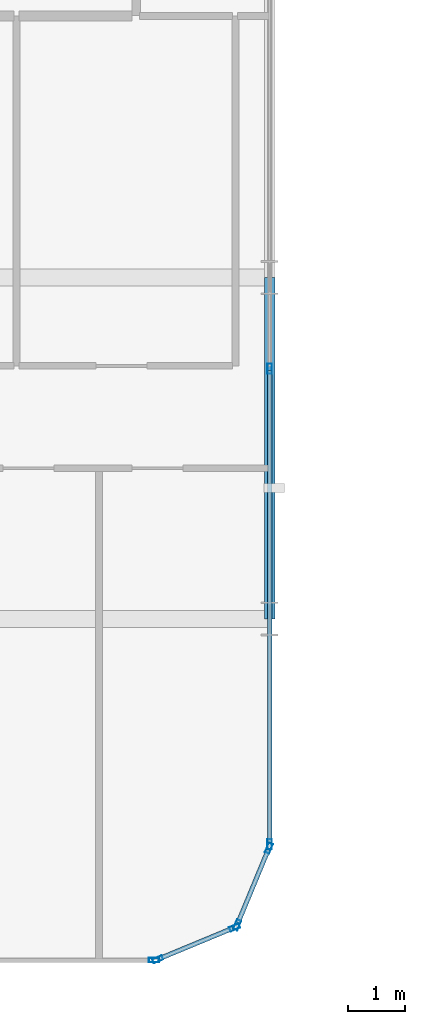
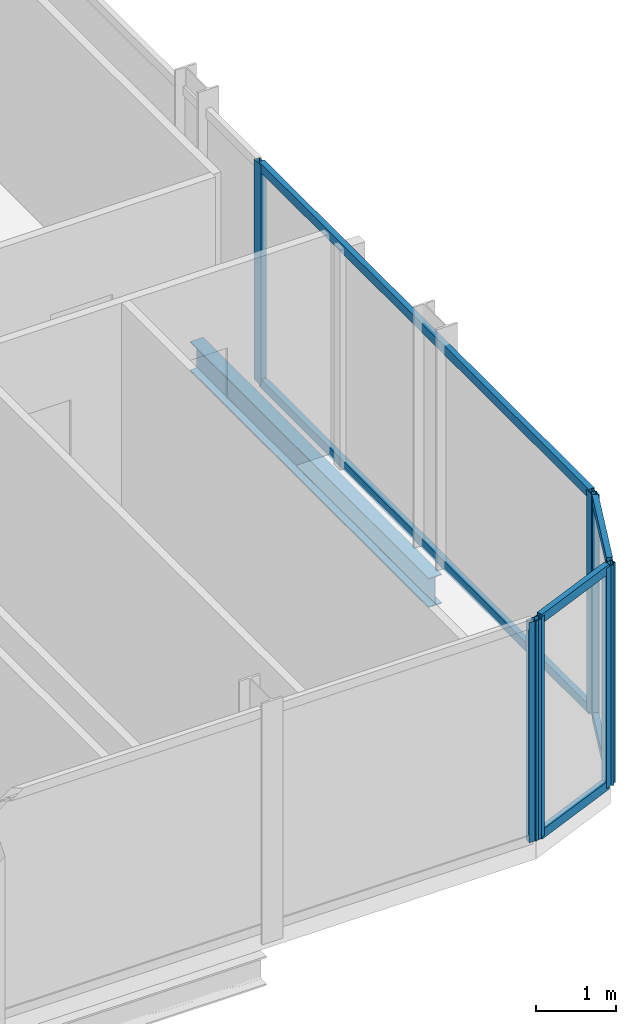
# One storey, part 10 of 30: 13 members, 1 beam, 4 elements without a shape of their own.
"""IFC4 building model written with IfcOpenShell, lengths in metres."""

from ifc_helpers import new_model, si_unit, direction, frame, origin, origin_2d, place, context, subcontext, project, spatial, hollow_rectangle, i_section, extrude, material, layer, layer_set, material_profile, profile_set, type_object, element, aggregate, save


model = new_model("IFC4")

# Units and contexts
model_context = context("Model", 3, precision=1e-05, world=origin(), true_north=direction((0.0, 1.0)))
body_context = subcontext(model_context, "Body", "Model", "MODEL_VIEW")
ifc_project = project(units=[si_unit("LENGTHUNIT", "METRE"), si_unit("AREAUNIT", "SQUARE_METRE"), si_unit("VOLUMEUNIT", "CUBIC_METRE"), si_unit("PLANEANGLEUNIT", "RADIAN"), si_unit("MASSUNIT", "GRAM", prefix="KILO")], contexts=[model_context])

# Site, building, storey
site_placement = place(None, origin())
site = spatial("IfcSite", under=ifc_project, at=site_placement, CompositionType="ELEMENT")
building_placement = place(site_placement, origin())
building = spatial("IfcBuilding", under=site, at=building_placement, Name="Keshet Zoharim Tower", CompositionType="ELEMENT")
storey_placement = place(building_placement, frame((0.0, 0.0, 116.800048828125)))
storey = spatial("IfcBuildingStorey", under=building, at=storey_placement, Name="L28", CompositionType="ELEMENT", Elevation=116.800048828125)

# Beam
ifc_material_1 = material(Name="Steel S355", Category="steel")
ifc_material_profile_1 = material_profile(ifc_material_1, i_section(OverallWidth=0.18994140625, OverallDepth=0.449951171875, WebThickness=0.009521484375, FlangeThickness=0.0146484375, FilletRadius=0.02099609375, at=origin_2d()), Name="IPE450")
ifc_profile_set_1 = profile_set([ifc_material_profile_1], Name="Steel S355")
beam_type = type_object("IfcBeamType", Name="BM-PRI-IP450", PredefinedType="BEAM", material=ifc_profile_set_1)
beam_placement = place(storey_placement, frame((57.0, 6.699951171875, -0.5400390625), z_axis=(0.0, 1.0, 0.0), x_axis=(-1.0, 0.0, 0.0)))
element("IfcBeam", 1, at=beam_placement, inside=storey, type_object=beam_type, Name="L28 Primary Girder Y-013", PredefinedType="BEAM", context=body_context, shape_type="SweptSolid", body=[
    extrude(i_section(OverallWidth=0.18994140625, OverallDepth=0.449951171875, WebThickness=0.009521484375, FlangeThickness=0.0146484375, FilletRadius=0.02099609375, at=origin_2d()), origin(), (0.0, 0.0, 1.0), 6.0),
])

# Curtain wall, members
ifc_material_2 = material(Name="Aluminium 6063-T6", Category="aluminium")
ifc_layer = layer(ifc_material_2, 0.159912109375)
ifc_layer_set = layer_set([ifc_layer], Name="Aluminium 6063-T6")
curtain_wall_type = type_object("IfcCurtainWallType", Name="CW-SYS-03", PredefinedType="NOTDEFINED", material=ifc_layer_set)
curtain_wall_1_placement = place(storey_placement, origin())
curtain_wall_1 = element("IfcCurtainWall", 2, at=curtain_wall_1_placement, inside=storey, type_object=curtain_wall_type, Name="L28 Unitised Curtain Wall 01", PredefinedType="NOTDEFINED")
ifc_material_profile_2 = material_profile(ifc_material_2, hollow_rectangle(XDim=0.080078125, YDim=0.179931640625, WallThickness=0.00439453125, at=origin_2d()), Name="MUL-80x180")
ifc_profile_set_2 = profile_set([ifc_material_profile_2], Name="Aluminium 6063-T6")
member_type_1 = type_object("IfcMemberType", Name="CWM-M18", PredefinedType="MULLION", material=ifc_profile_set_2)
member_1_placement = place(storey_placement, frame((56.986572265625, 2.667724609375, 0.0), z_axis=(0.0, 0.0, 1.0), x_axis=(0.92380975372, -0.382851849847, 0.0)))
member_1 = element("IfcMember", 3, at=member_1_placement, type_object=member_type_1, Name="CW-03 mullion 1", PredefinedType="MULLION", context=body_context, shape_type="SweptSolid", body=[
    extrude(hollow_rectangle(XDim=0.080078125, YDim=0.179931640625, WallThickness=0.00439453125, at=origin_2d()), origin(), (0.0, 0.0, 1.0), 3.3798828125),
])
member_2_placement = place(storey_placement, frame((56.427490234375, 1.318359375, 0.0), z_axis=(0.0, 0.0, 1.0), x_axis=(0.92380975372, -0.382851849847, 0.0)))
member_2 = element("IfcMember", 4, at=member_2_placement, type_object=member_type_1, Name="CW-03 mullion 2", PredefinedType="MULLION", context=body_context, shape_type="SweptSolid", body=[
    extrude(hollow_rectangle(XDim=0.080078125, YDim=0.179931640625, WallThickness=0.00439453125, at=origin_2d()), origin(), (0.0, 0.0, 1.0), 3.3798828125),
])

curtain_wall_2_placement = place(storey_placement, origin())
curtain_wall_2 = element("IfcCurtainWall", 5, at=curtain_wall_2_placement, inside=storey, type_object=curtain_wall_type, Name="L28 Unitised Curtain Wall 02", PredefinedType="NOTDEFINED")
member_3_placement = place(storey_placement, frame((56.381591796875, 1.272705078125, 0.0), z_axis=(0.0, 0.0, 1.0), x_axis=(0.382851849847, -0.92380975372, 0.0)))
member_3 = element("IfcMember", 6, at=member_3_placement, type_object=member_type_1, Name="CW-03 mullion 1", PredefinedType="MULLION", context=body_context, shape_type="SweptSolid", body=[
    extrude(hollow_rectangle(XDim=0.080078125, YDim=0.179931640625, WallThickness=0.00439453125, at=origin_2d()), origin(), (0.0, 0.0, 1.0), 3.3798828125),
])
member_4_placement = place(storey_placement, frame((55.0322265625, 0.71337890625, 0.0), z_axis=(0.0, 0.0, 1.0), x_axis=(0.382851849847, -0.92380975372, 0.0)))
member_4 = element("IfcMember", 7, at=member_4_placement, type_object=member_type_1, Name="CW-03 mullion 2", PredefinedType="MULLION", context=body_context, shape_type="SweptSolid", body=[
    extrude(hollow_rectangle(XDim=0.080078125, YDim=0.179931640625, WallThickness=0.00439453125, at=origin_2d()), origin(), (0.0, 0.0, 1.0), 3.3798828125),
])

# Curtain wall, member
curtain_wall_3_placement = place(storey_placement, origin())
curtain_wall_3 = element("IfcCurtainWall", 8, at=curtain_wall_3_placement, inside=storey, type_object=curtain_wall_type, Name="L28 Unitised Curtain Wall 03", PredefinedType="NOTDEFINED")
member_5_placement = place(storey_placement, frame((54.965087890625, 0.699951171875, 0.0), z_axis=(0.0, 0.0, 1.0), x_axis=(0.0, -1.0, 0.0)))
member_5 = element("IfcMember", 9, at=member_5_placement, type_object=member_type_1, Name="CW-03 mullion 1", PredefinedType="MULLION", context=body_context, shape_type="SweptSolid", body=[
    extrude(hollow_rectangle(XDim=0.080078125, YDim=0.179931640625, WallThickness=0.00439453125, at=origin_2d()), origin(), (0.0, 0.0, 1.0), 3.3798828125),
])
aggregate(curtain_wall_3, [member_5])

# Curtain wall, members
curtain_wall_4_placement = place(storey_placement, origin())
curtain_wall_4 = element("IfcCurtainWall", 10, at=curtain_wall_4_placement, inside=storey, type_object=curtain_wall_type, Name="L28 Unitised Curtain Wall 19", PredefinedType="NOTDEFINED")
member_6_placement = place(storey_placement, frame((57.0, 11.10009765625, 0.0), z_axis=(0.0, 0.0, 1.0), x_axis=(1.0, 0.0, 0.0)))
member_6 = element("IfcMember", 11, at=member_6_placement, type_object=member_type_1, Name="CW-03 mullion 3", PredefinedType="MULLION", context=body_context, shape_type="SweptSolid", body=[
    extrude(hollow_rectangle(XDim=0.080078125, YDim=0.179931640625, WallThickness=0.00439453125, at=origin_2d()), origin(), (0.0, 0.0, 1.0), 3.3798828125),
])
member_7_placement = place(storey_placement, frame((57.0, 2.735107421875, 0.0), z_axis=(0.0, 0.0, 1.0), x_axis=(1.0, 0.0, 0.0)))
member_7 = element("IfcMember", 12, at=member_7_placement, type_object=member_type_1, Name="CW-03 mullion 4", PredefinedType="MULLION", context=body_context, shape_type="SweptSolid", body=[
    extrude(hollow_rectangle(XDim=0.080078125, YDim=0.179931640625, WallThickness=0.00439453125, at=origin_2d()), origin(), (0.0, 0.0, 1.0), 3.3798828125),
])

# Member
ifc_material_profile_3 = material_profile(ifc_material_2, hollow_rectangle(XDim=0.080078125, YDim=0.139892578125, WallThickness=0.00390625, at=origin_2d()), Name="TRN-80x140")
ifc_profile_set_3 = profile_set([ifc_material_profile_3], Name="Aluminium 6063-T6")
member_type_2 = type_object("IfcMemberType", Name="CWT-T14", PredefinedType="USERDEFINED", material=ifc_profile_set_3)
member_8_placement = place(storey_placement, frame((56.97314453125, 2.63525390625, 0.034912109375), z_axis=(-0.382744609247, -0.923854189844, 0.0), x_axis=(0.923854189844, -0.382744609247, 0.0)))
member_8 = element("IfcMember", 13, at=member_8_placement, type_object=member_type_2, Name="CW-03 transom 1.1", ObjectType="TRANSOM", PredefinedType="USERDEFINED", context=body_context, shape_type="SweptSolid", body=[
    extrude(hollow_rectangle(XDim=0.080078125, YDim=0.139892578125, WallThickness=0.00390625, at=origin_2d()), origin(), (0.0, 0.0, 1.0), 1.390625),
])

member_9_placement = place(storey_placement, frame((56.97314453125, 2.63525390625, 3.344970703125), z_axis=(-0.382744609247, -0.923854189844, 0.0), x_axis=(0.923854189844, -0.382744609247, 0.0)))
member_9 = element("IfcMember", 14, at=member_9_placement, type_object=member_type_2, Name="CW-03 transom 1.2", ObjectType="TRANSOM", PredefinedType="USERDEFINED", context=body_context, shape_type="SweptSolid", body=[
    extrude(hollow_rectangle(XDim=0.080078125, YDim=0.139892578125, WallThickness=0.00390625, at=origin_2d()), origin(), (0.0, 0.0, 1.0), 1.390625),
])

aggregate(curtain_wall_1, [member_1, member_2, member_8, member_9])

member_10_placement = place(storey_placement, frame((56.349365234375, 1.25927734375, 0.034912109375), z_axis=(-0.92379209995, -0.382894445076, 0.0), x_axis=(0.382894445076, -0.92379209995, 0.0)))
member_10 = element("IfcMember", 15, at=member_10_placement, type_object=member_type_2, Name="CW-03 transom 1.1", ObjectType="TRANSOM", PredefinedType="USERDEFINED", context=body_context, shape_type="SweptSolid", body=[
    extrude(hollow_rectangle(XDim=0.080078125, YDim=0.139892578125, WallThickness=0.00390625, at=origin_2d()), origin(), (0.0, 0.0, 1.0), 1.390625),
])

member_11_placement = place(storey_placement, frame((56.349365234375, 1.25927734375, 3.344970703125), z_axis=(-0.92379209995, -0.382894445076, 0.0), x_axis=(0.382894445076, -0.92379209995, 0.0)))
member_11 = element("IfcMember", 16, at=member_11_placement, type_object=member_type_2, Name="CW-03 transom 1.2", ObjectType="TRANSOM", PredefinedType="USERDEFINED", context=body_context, shape_type="SweptSolid", body=[
    extrude(hollow_rectangle(XDim=0.080078125, YDim=0.139892578125, WallThickness=0.00390625, at=origin_2d()), origin(), (0.0, 0.0, 1.0), 1.390625),
])

aggregate(curtain_wall_2, [member_3, member_4, member_10, member_11])

member_12_placement = place(storey_placement, frame((57.0, 11.06494140625, 0.034912109375), z_axis=(0.0, -1.0, 0.0), x_axis=(1.0, 0.0, 0.0)))
member_12 = element("IfcMember", 17, at=member_12_placement, type_object=member_type_2, Name="CW-03 transom 3.1", ObjectType="TRANSOM", PredefinedType="USERDEFINED", context=body_context, shape_type="SweptSolid", body=[
    extrude(hollow_rectangle(XDim=0.080078125, YDim=0.139892578125, WallThickness=0.00390625, at=origin_2d()), origin(), (0.0, 0.0, 1.0), 8.294921875),
])

member_13_placement = place(storey_placement, frame((57.0, 11.06494140625, 3.344970703125), z_axis=(0.0, -1.0, 0.0), x_axis=(1.0, 0.0, 0.0)))
member_13 = element("IfcMember", 18, at=member_13_placement, type_object=member_type_2, Name="CW-03 transom 3.2", ObjectType="TRANSOM", PredefinedType="USERDEFINED", context=body_context, shape_type="SweptSolid", body=[
    extrude(hollow_rectangle(XDim=0.080078125, YDim=0.139892578125, WallThickness=0.00390625, at=origin_2d()), origin(), (0.0, 0.0, 1.0), 8.294921875),
])

aggregate(curtain_wall_4, [member_6, member_7, member_12, member_13])

save(model, "model.ifc")
